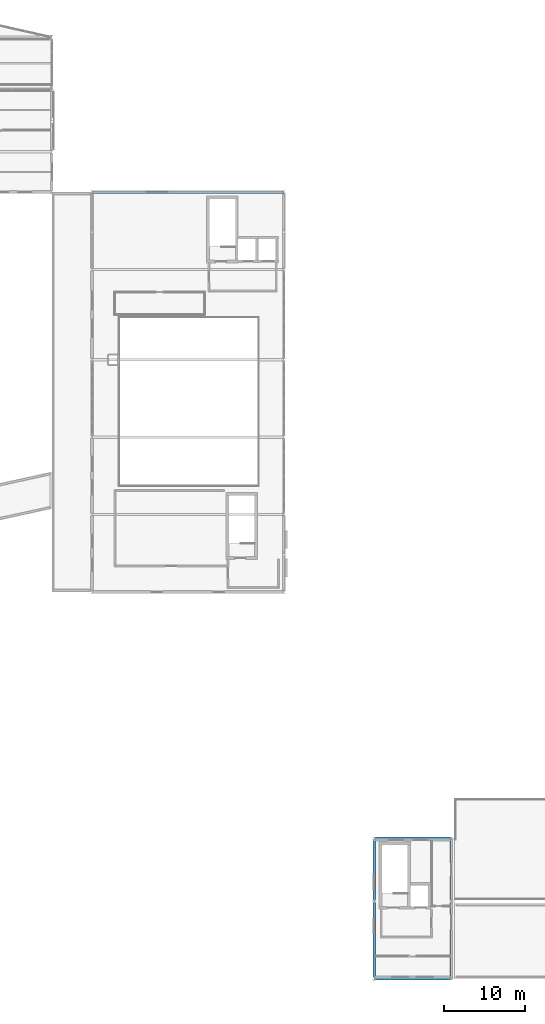
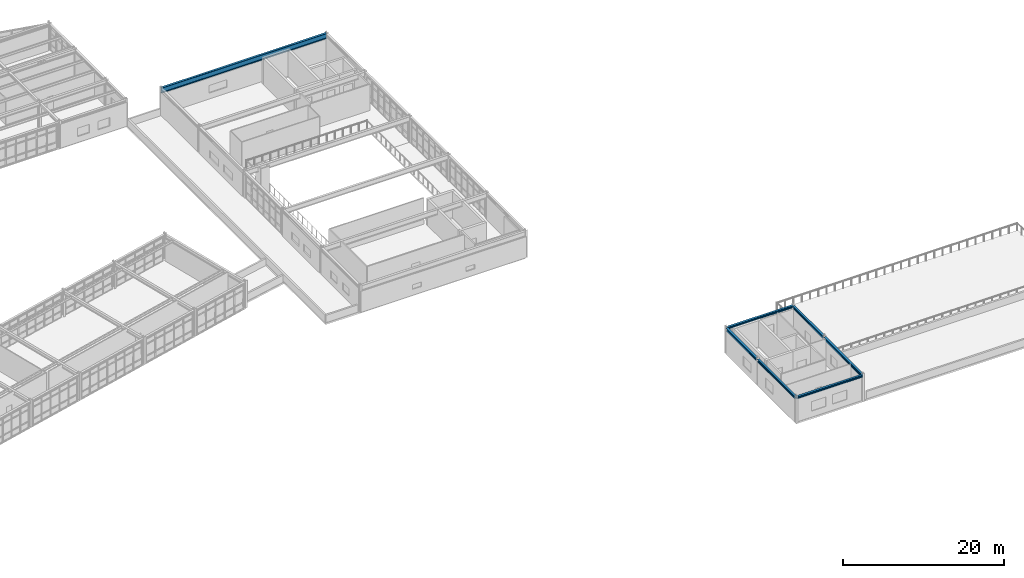
# One storey, part 43 of 76: 7 beams.
"""IFC4 building model written with IfcOpenShell, lengths in metres."""

from ifc_helpers import new_model, si_unit, direction, frame, origin, origin_2d, place, context, subcontext, project, spatial, i_section, extrude, material, material_profile, profile_set, type_object, element, save


model = new_model("IFC4")

# Units and contexts
model_context = context("Model", 3, precision=1e-05, world=origin(), true_north=direction((0.0, 1.0)))
body_context = subcontext(model_context, "Body", "Model", "MODEL_VIEW")
ifc_project = project(units=[si_unit("LENGTHUNIT", "METRE"), si_unit("AREAUNIT", "SQUARE_METRE"), si_unit("VOLUMEUNIT", "CUBIC_METRE"), si_unit("PLANEANGLEUNIT", "RADIAN"), si_unit("MASSUNIT", "GRAM", prefix="KILO")], contexts=[model_context])

# Site, building, storey
site_placement = place(None, origin())
site = spatial("IfcSite", under=ifc_project, at=site_placement, CompositionType="ELEMENT")
building_placement = place(site_placement, origin())
building = spatial("IfcBuilding", under=site, at=building_placement, Name="Nordkorset Police Headquarters", CompositionType="ELEMENT")
storey_placement = place(building_placement, frame((0.0, 0.0, 13.64990234375)))
storey = spatial("IfcBuildingStorey", under=building, at=storey_placement, Name="L03", CompositionType="ELEMENT", Elevation=13.64990234375)

# Beams
ifc_material_1 = material(Name="Steel S355J2", Category="steel")
ifc_material_profile_1 = material_profile(ifc_material_1, i_section(OverallWidth=0.300048828125, OverallDepth=0.389892578125, WebThickness=0.010986328125, FlangeThickness=0.01904296875, FilletRadius=0.027099609375, at=origin_2d()), Name="HEA 400")
ifc_profile_set_1 = profile_set([ifc_material_profile_1], Name="Steel S355J2")
beam_type_1 = type_object("IfcBeamType", Name="Girder_HEA_400", PredefinedType="USERDEFINED", material=ifc_profile_set_1)
beam_1_placement = place(storey_placement, frame((126.39990234375, 0.169921875, 3.77001953125), z_axis=(0.0, 1.0, 0.0), x_axis=(-1.0, 0.0, 0.0)))
element("IfcBeam", 1, at=beam_1_placement, inside=storey, type_object=beam_type_1, Name="Girder V6DAY L03 GY-0-0", ObjectType="GIRDER", PredefinedType="USERDEFINED", context=body_context, shape_type="SweptSolid", body=[
    extrude(i_section(OverallWidth=0.300048828125, OverallDepth=0.389892578125, WebThickness=0.010986328125, FlangeThickness=0.01904296875, FilletRadius=0.027099609375, at=origin_2d()), origin(), (0.0, 0.0, 1.0), 9.260009765625),
])
beam_2_placement = place(storey_placement, frame((126.39990234375, 9.77001953125, 3.77001953125), z_axis=(0.0, 1.0, 0.0), x_axis=(-1.0, 0.0, 0.0)))
element("IfcBeam", 2, at=beam_2_placement, inside=storey, type_object=beam_type_1, Name="Girder V6DAY L03 GY-0-1", ObjectType="GIRDER", PredefinedType="USERDEFINED", context=body_context, shape_type="SweptSolid", body=[
    extrude(i_section(OverallWidth=0.300048828125, OverallDepth=0.389892578125, WebThickness=0.010986328125, FlangeThickness=0.01904296875, FilletRadius=0.027099609375, at=origin_2d()), origin(), (0.0, 0.0, 1.0), 7.4599609375),
])
beam_3_placement = place(storey_placement, frame((136.0, 0.169921875, 3.77001953125), z_axis=(0.0, 1.0, 0.0), x_axis=(-1.0, 0.0, 0.0)))
element("IfcBeam", 3, at=beam_3_placement, inside=storey, type_object=beam_type_1, Name="Girder V6DAY L03 GY-1-0", ObjectType="GIRDER", PredefinedType="USERDEFINED", context=body_context, shape_type="SweptSolid", body=[
    extrude(i_section(OverallWidth=0.300048828125, OverallDepth=0.389892578125, WebThickness=0.010986328125, FlangeThickness=0.01904296875, FilletRadius=0.027099609375, at=origin_2d()), origin(), (0.0, 0.0, 1.0), 9.260009765625),
])
beam_4_placement = place(storey_placement, frame((136.0, 9.77001953125, 3.77001953125), z_axis=(0.0, 1.0, 0.0), x_axis=(-1.0, 0.0, 0.0)))
element("IfcBeam", 4, at=beam_4_placement, inside=storey, type_object=beam_type_1, Name="Girder V6DAY L03 GY-1-1", ObjectType="GIRDER", PredefinedType="USERDEFINED", context=body_context, shape_type="SweptSolid", body=[
    extrude(i_section(OverallWidth=0.300048828125, OverallDepth=0.389892578125, WebThickness=0.010986328125, FlangeThickness=0.01904296875, FilletRadius=0.027099609375, at=origin_2d()), origin(), (0.0, 0.0, 1.0), 7.4599609375),
])
ifc_material_2 = material(Name="Steel S355J2", Category="steel")
ifc_material_profile_2 = material_profile(ifc_material_2, i_section(OverallWidth=0.300048828125, OverallDepth=0.800048828125, WebThickness=0.017578125, FlangeThickness=0.032958984375, FilletRadius=0.030029296875, at=origin_2d()), Name="HEB 800")
ifc_profile_set_2 = profile_set([ifc_material_profile_2], Name="Steel S355J2")
beam_type_2 = type_object("IfcBeamType", Name="Girder_HEB_800", PredefinedType="USERDEFINED", material=ifc_profile_set_2)
beam_5_placement = place(storey_placement, frame((91.406005859375, 97.60009765625, 3.625), z_axis=(1.0, 0.0, 0.0), x_axis=(0.0, 1.0, 0.0)))
element("IfcBeam", 5, at=beam_5_placement, inside=storey, type_object=beam_type_2, Name="Girder V5 L03 GX-5-0", ObjectType="GIRDER", PredefinedType="USERDEFINED", context=body_context, shape_type="SweptSolid", body=[
    extrude(i_section(OverallWidth=0.300048828125, OverallDepth=0.800048828125, WebThickness=0.017578125, FlangeThickness=0.032958984375, FilletRadius=0.030029296875, at=origin_2d()), origin(), (0.0, 0.0, 1.0), 23.7880859375),
])
ifc_material_3 = material(Name="Steel S355J2", Category="steel")
ifc_material_profile_3 = material_profile(ifc_material_3, i_section(OverallWidth=0.300048828125, OverallDepth=0.31005859375, WebThickness=0.009033203125, FlangeThickness=0.015380859375, FilletRadius=0.027099609375, at=origin_2d()), Name="HEA 320")
ifc_profile_set_3 = profile_set([ifc_material_profile_3], Name="Steel S355J2")
beam_type_3 = type_object("IfcBeamType", Name="Spandrel_HEA_320", PredefinedType="SPANDREL", material=ifc_profile_set_3)
for number, where, z_axis, x_axis, name in (
    (6, (126.406005859375, 0.0, 3.81005859375), (1.0, 0.0, 0.0), (0.0, 1.0, 0.0), "Girder V6DAY L03 GX-0-0"),
    (7, (126.406005859375, 17.39990234375, 3.81005859375), (1.0, 0.0, 0.0), (0.0, 1.0, 0.0), "Girder V6DAY L03 GX-2-0"),
):
    element("IfcBeam", number, at=place(storey_placement, frame(where, z_axis=z_axis, x_axis=x_axis)), inside=storey, type_object=beam_type_3, Name=name, PredefinedType="SPANDREL", context=body_context, shape_type="SweptSolid", body=[
        extrude(i_section(OverallWidth=0.300048828125, OverallDepth=0.31005859375, WebThickness=0.009033203125, FlangeThickness=0.015380859375, FilletRadius=0.027099609375, at=origin_2d()), origin(), (0.0, 0.0, 1.0), 9.587890625),
    ])

save(model, "model.ifc")
